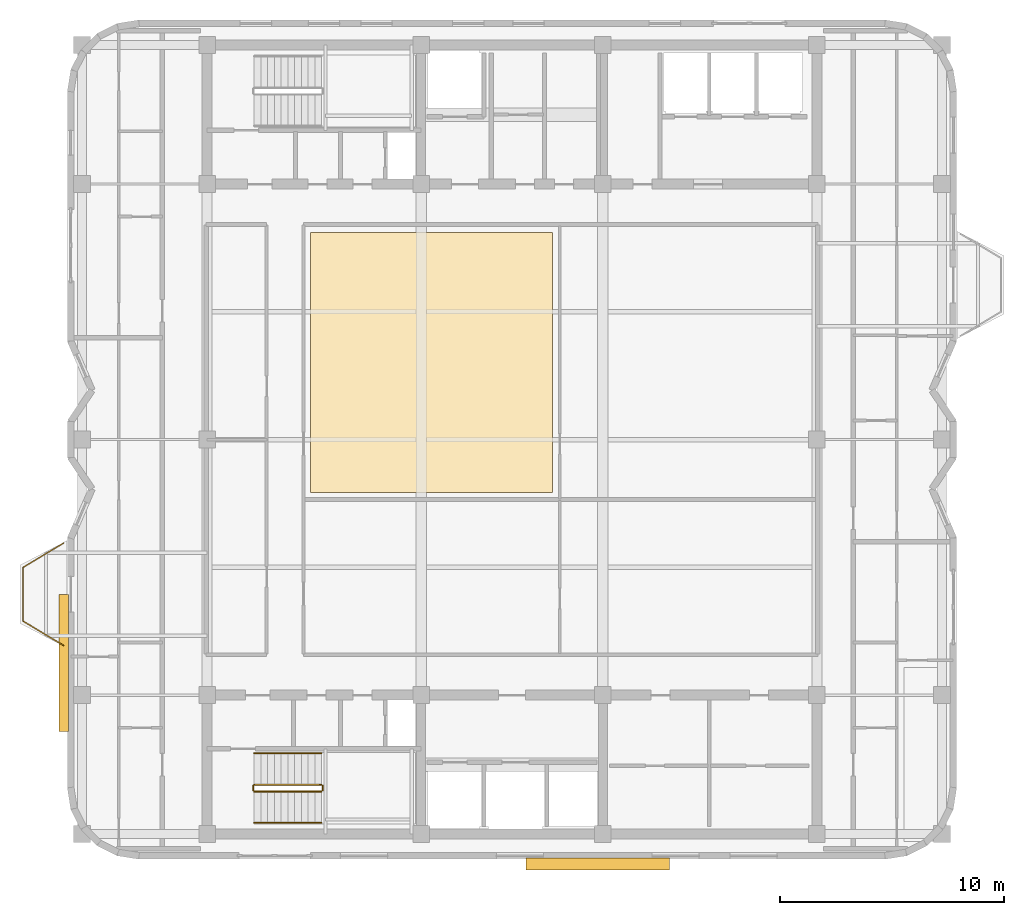
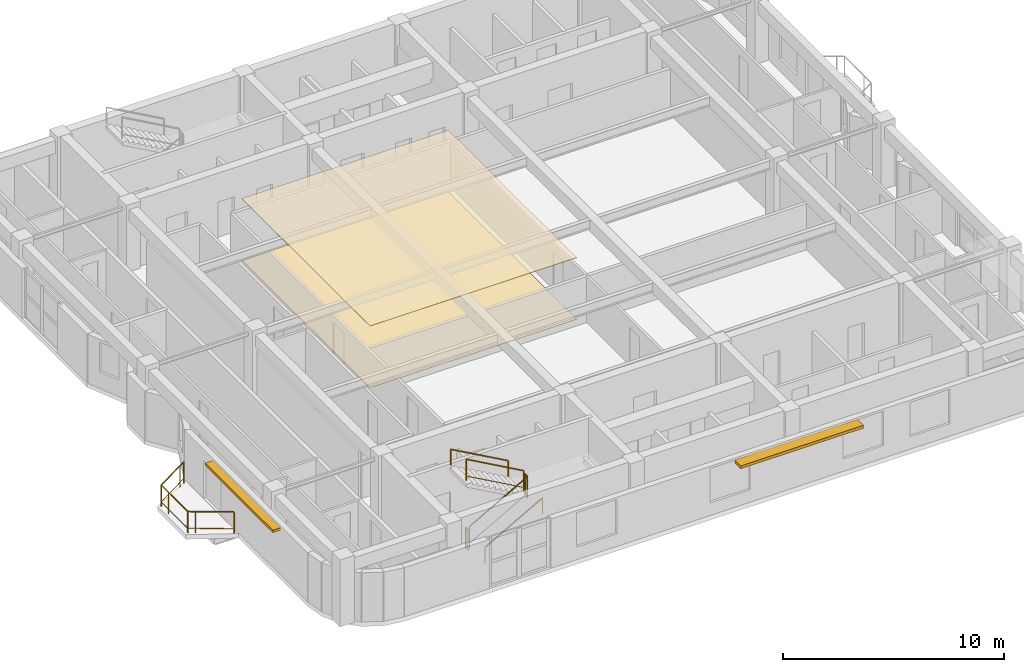
# One storey, part 10 of 11: 7 railings, 2 coverings, 2 shading devices.
"""IFC4 building model written with IfcOpenShell, lengths in metres."""

from ifc_helpers import new_model, si_unit, direction, frame, origin, origin_2d, place, context, subcontext, project, spatial, polyline, rectangle, outline, extrude, material, layer, layer_set, type_object, element, save


model = new_model("IFC4")

# Units and contexts
model_context = context("Model", 3, precision=1e-05, world=origin(), true_north=direction((0.0, 1.0)))
body_context = subcontext(model_context, "Body", "Model", "MODEL_VIEW")
ifc_project = project(units=[si_unit("LENGTHUNIT", "METRE"), si_unit("AREAUNIT", "SQUARE_METRE"), si_unit("VOLUMEUNIT", "CUBIC_METRE"), si_unit("PLANEANGLEUNIT", "RADIAN"), si_unit("MASSUNIT", "GRAM", prefix="KILO")], contexts=[model_context])

# Site, building, storey
site_placement = place(None, origin())
site = spatial("IfcSite", under=ifc_project, at=site_placement, CompositionType="ELEMENT")
building_placement = place(site_placement, origin())
building = spatial("IfcBuilding", under=site, at=building_placement, Name="Svetorya Sky Lyceum", CompositionType="ELEMENT")
storey_placement = place(building_placement, frame((0.0, 0.0, 293.5)))
storey = spatial("IfcBuildingStorey", under=building, at=storey_placement, Name="L74", CompositionType="ELEMENT", Elevation=293.5)

# Coverings
ifc_material_1 = material(Name="Fire-retardant birch acoustic slat ceiling")
ifc_layer_1 = layer(ifc_material_1, 0.031982421875)
ifc_layer_set_1 = layer_set([ifc_layer_1], Name="Fire-retardant birch acoustic slat ceiling")
covering_type_1 = type_object("IfcCoveringType", Name="COV-CLG-WD32", PredefinedType="CEILING", material=ifc_layer_set_1)
covering_1_placement = place(storey_placement, frame((0.0, 0.0, 3.39794921875)))
element("IfcCovering", 1, at=covering_1_placement, inside=storey, type_object=covering_type_1, Name="Wellness Hall L74 North Acoustic Ceiling", PredefinedType="CEILING", context=body_context, shape_type="SweptSolid", body=[
    extrude(outline(polyline([(30.219970703125, 25.850341796875), (41.0048828125, 25.850341796875), (41.0048828125, 37.449951171875), (30.219970703125, 37.449951171875), (30.219970703125, 25.850341796875)])), origin(), (0.0, 0.0, 1.0), 0.031982421875),
])
ifc_material_2 = material(Name="Vitrified porcelain slip-resistant tile flooring")
ifc_layer_2 = layer(ifc_material_2, 0.02587890625)
ifc_layer_set_2 = layer_set([ifc_layer_2], Name="Vitrified porcelain slip-resistant tile flooring")
covering_type_2 = type_object("IfcCoveringType", Name="COV-FLR-POR26", PredefinedType="FLOORING", material=ifc_layer_set_2)
covering_2_placement = place(storey_placement, origin())
element("IfcCovering", 2, at=covering_2_placement, inside=storey, type_object=covering_type_2, Name="Wellness Hall L74 North Architectural Flooring", PredefinedType="FLOORING", context=body_context, shape_type="SweptSolid", body=[
    extrude(outline(polyline([(30.219970703125, 25.850341796875), (41.0048828125, 25.850341796875), (41.0048828125, 37.449951171875), (30.219970703125, 37.449951171875), (30.219970703125, 25.850341796875)])), origin(), (0.0, 0.0, 1.0), 0.02587890625),
])

# Railings
ifc_material_3 = material(Name="Laminated safety glass and stainless AISI 316", Category="glass")
railing_type_1 = type_object("IfcRailingType", Name="RL-BAL-1200", PredefinedType="BALUSTRADE", material=ifc_material_3)
railing_1_placement = place(storey_placement, frame((19.18994140625, 19.02001953125, 0.0)))
element("IfcRailing", 3, at=railing_1_placement, inside=storey, type_object=railing_type_1, Name="L74 Balcony Balustrade BAL-W1", PredefinedType="BALUSTRADE", context=body_context, shape_type="SweptSolid", body=[
    extrude(rectangle(XDim=0.048095703125, YDim=0.048095703125, at=origin_2d()), frame((0.0, 0.0, 1.17578125), z_axis=(-0.857482663744, 0.514512858321, 0.0), x_axis=(-0.514512858321, -0.857482663744, 0.0)), (0.0, 0.0, 1.0), 2.09912109375),
    extrude(rectangle(XDim=0.02392578125, YDim=0.02392578125, at=origin_2d()), frame((0.0, 0.0, 0.25), z_axis=(-0.857482663744, 0.514512858321, 0.0), x_axis=(-0.514512858321, -0.857482663744, 0.0)), (0.0, 0.0, 1.0), 2.09912109375),
    extrude(rectangle(XDim=0.048095703125, YDim=0.048095703125, at=origin_2d()), frame((-1.800048828125, 1.080078125, 1.17578125), z_axis=(0.0, 1.0, 0.0), x_axis=(-1.0, 0.0, 0.0)), (0.0, 0.0, 1.0), 2.39990234375),
    extrude(rectangle(XDim=0.02392578125, YDim=0.02392578125, at=origin_2d()), frame((-1.800048828125, 1.080078125, 0.25), z_axis=(0.0, 1.0, 0.0), x_axis=(-1.0, 0.0, 0.0)), (0.0, 0.0, 1.0), 2.39990234375),
    extrude(rectangle(XDim=0.048095703125, YDim=0.048095703125, at=origin_2d()), frame((-1.800048828125, 3.47998046875, 1.17578125), z_axis=(0.857482663744, 0.514512858321, 0.0), x_axis=(-0.514512858321, 0.857482663744, 0.0)), (0.0, 0.0, 1.0), 2.09912109375),
    extrude(rectangle(XDim=0.02392578125, YDim=0.02392578125, at=origin_2d()), frame((-1.800048828125, 3.47998046875, 0.25), z_axis=(0.857482663744, 0.514512858321, 0.0), x_axis=(-0.514512858321, 0.857482663744, 0.0)), (0.0, 0.0, 1.0), 2.09912109375),
    extrude(rectangle(XDim=0.0419921875, YDim=0.0419921875, at=origin_2d()), origin(), (0.0, 0.0, 1.0), 1.15185546875),
    extrude(rectangle(XDim=0.0419921875, YDim=0.0419921875, at=origin_2d()), frame((-1.50048828125, 0.900390625, 0.0)), (0.0, 0.0, 1.0), 1.15185546875),
    extrude(rectangle(XDim=0.0419921875, YDim=0.0419921875, at=origin_2d()), frame((-1.800048828125, 1.080078125, 0.0)), (0.0, 0.0, 1.0), 1.15185546875),
    extrude(rectangle(XDim=0.0419921875, YDim=0.0419921875, at=origin_2d()), frame((-1.800048828125, 2.830078125, 0.0)), (0.0, 0.0, 1.0), 1.15185546875),
    extrude(rectangle(XDim=0.0419921875, YDim=0.0419921875, at=origin_2d()), frame((-1.800048828125, 3.47998046875, 0.0)), (0.0, 0.0, 1.0), 1.15185546875),
    extrude(rectangle(XDim=0.0419921875, YDim=0.0419921875, at=origin_2d()), frame((-0.299560546875, 4.38037109375, 0.0)), (0.0, 0.0, 1.0), 1.15185546875),
    extrude(rectangle(XDim=0.0419921875, YDim=0.0419921875, at=origin_2d()), frame((0.0, 4.56005859375, 0.0)), (0.0, 0.0, 1.0), 1.15185546875),
])
ifc_material_4 = material(Name="Painted galvanized stair well guard")
railing_type_2 = type_object("IfcRailingType", Name="RL-STR-GUARD-1200", PredefinedType="GUARDRAIL", material=ifc_material_4)
railing_2_placement = place(storey_placement, frame((27.699951171875, 12.5, 0.168212890625)))
element("IfcRailing", 4, at=railing_2_placement, inside=storey, type_object=railing_type_2, Name="L74 ST-S stair guard 1", PredefinedType="GUARDRAIL", context=body_context, shape_type="SweptSolid", body=[
    extrude(rectangle(XDim=0.048095703125, YDim=0.048095703125, at=origin_2d()), frame((0.0, 0.0, 1.17578125), z_axis=(0.872272294576, 0.0, 0.489020494575), x_axis=(0.0, 1.0, 0.0)), (0.0, 0.0, 1.0), 3.439208984375),
    extrude(rectangle(XDim=0.02392578125, YDim=0.02392578125, at=origin_2d()), frame((0.0, 0.0, 0.25), z_axis=(0.872272294576, 0.0, 0.489020494575), x_axis=(0.0, 1.0, 0.0)), (0.0, 0.0, 1.0), 3.439208984375),
    extrude(rectangle(XDim=0.0419921875, YDim=0.0419921875, at=origin_2d()), origin(), (0.0, 0.0, 1.0), 1.15185546875),
    extrude(rectangle(XDim=0.0419921875, YDim=0.0419921875, at=origin_2d()), frame((3.0, 0.0, 1.681884765625)), (0.0, 0.0, 1.0), 1.15185546875),
])
railing_3_placement = place(storey_placement, frame((30.75, 12.550048828125, 1.85009765625)))
element("IfcRailing", 5, at=railing_3_placement, inside=storey, type_object=railing_type_2, Name="L74 ST-S stair guard 2", PredefinedType="GUARDRAIL", context=body_context, shape_type="SweptSolid", body=[
    extrude(rectangle(XDim=0.048095703125, YDim=0.048095703125, at=origin_2d()), frame((0.0, 0.0, 1.17578125), z_axis=(0.0, 1.0, 0.0), x_axis=(-1.0, 0.0, 0.0)), (0.0, 0.0, 1.0), 0.199951171875),
    extrude(rectangle(XDim=0.02392578125, YDim=0.02392578125, at=origin_2d()), frame((0.0, 0.0, 0.25), z_axis=(0.0, 1.0, 0.0), x_axis=(-1.0, 0.0, 0.0)), (0.0, 0.0, 1.0), 0.199951171875),
    extrude(rectangle(XDim=0.0419921875, YDim=0.0419921875, at=origin_2d()), origin(), (0.0, 0.0, 1.0), 1.15185546875),
    extrude(rectangle(XDim=0.0419921875, YDim=0.0419921875, at=origin_2d()), frame((0.0, 0.199951171875, 0.0)), (0.0, 0.0, 1.0), 1.15185546875),
])
railing_4_placement = place(storey_placement, frame((30.699951171875, 12.800048828125, 2.01806640625)))
element("IfcRailing", 6, at=railing_4_placement, inside=storey, type_object=railing_type_2, Name="L74 ST-S stair guard 3", PredefinedType="GUARDRAIL", context=body_context, shape_type="SweptSolid", body=[
    extrude(rectangle(XDim=0.048095703125, YDim=0.048095703125, at=origin_2d()), frame((0.0, 0.0, 1.17578125), z_axis=(-0.872272294576, 0.0, 0.489020494575), x_axis=(0.0, -1.0, 0.0)), (0.0, 0.0, 1.0), 3.439208984375),
    extrude(rectangle(XDim=0.02392578125, YDim=0.02392578125, at=origin_2d()), frame((0.0, 0.0, 0.25), z_axis=(-0.872272294576, 0.0, 0.489020494575), x_axis=(0.0, -1.0, 0.0)), (0.0, 0.0, 1.0), 3.439208984375),
    extrude(rectangle(XDim=0.0419921875, YDim=0.0419921875, at=origin_2d()), origin(), (0.0, 0.0, 1.0), 1.15185546875),
    extrude(rectangle(XDim=0.0419921875, YDim=0.0419921875, at=origin_2d()), frame((-3.0, 0.0, 1.681884765625)), (0.0, 0.0, 1.0), 1.15185546875),
])
railing_5_placement = place(storey_placement, frame((27.64990234375, 12.550048828125, 0.0)))
element("IfcRailing", 7, at=railing_5_placement, inside=storey, type_object=railing_type_2, Name="L74 ST-S stair guard 4", PredefinedType="GUARDRAIL", context=body_context, shape_type="SweptSolid", body=[
    extrude(rectangle(XDim=0.048095703125, YDim=0.048095703125, at=origin_2d()), frame((0.0, 0.0, 1.17578125), z_axis=(0.0, 1.0, 0.0), x_axis=(-1.0, 0.0, 0.0)), (0.0, 0.0, 1.0), 0.199951171875),
    extrude(rectangle(XDim=0.02392578125, YDim=0.02392578125, at=origin_2d()), frame((0.0, 0.0, 0.25), z_axis=(0.0, 1.0, 0.0), x_axis=(-1.0, 0.0, 0.0)), (0.0, 0.0, 1.0), 0.199951171875),
    extrude(rectangle(XDim=0.0419921875, YDim=0.0419921875, at=origin_2d()), origin(), (0.0, 0.0, 1.0), 1.15185546875),
    extrude(rectangle(XDim=0.0419921875, YDim=0.0419921875, at=origin_2d()), frame((0.0, 0.199951171875, 0.0)), (0.0, 0.0, 1.0), 1.15185546875),
])
ifc_material_5 = material(Name="Brushed stainless AISI 304 stair handrail")
railing_type_3 = type_object("IfcRailingType", Name="RL-STR-HAND-920", PredefinedType="HANDRAIL", material=ifc_material_5)
railing_6_placement = place(storey_placement, frame((27.699951171875, 11.10009765625, 0.168212890625)))
element("IfcRailing", 8, at=railing_6_placement, inside=storey, type_object=railing_type_3, Name="L74 ST-S stair handrail 1", PredefinedType="HANDRAIL", context=body_context, shape_type="SweptSolid", body=[
    extrude(rectangle(XDim=0.048095703125, YDim=0.048095703125, at=origin_2d()), frame((0.0, 0.0, 0.8759765625), z_axis=(0.872272294576, 0.0, 0.489020494575), x_axis=(0.0, 1.0, 0.0)), (0.0, 0.0, 1.0), 3.439208984375),
    extrude(rectangle(XDim=0.0419921875, YDim=0.0419921875, at=origin_2d()), origin(), (0.0, 0.0, 1.0), 0.851806640625),
    extrude(rectangle(XDim=0.0419921875, YDim=0.0419921875, at=origin_2d()), frame((3.0, 0.0, 1.681884765625)), (0.0, 0.0, 1.0), 0.851806640625),
])
railing_7_placement = place(storey_placement, frame((30.699951171875, 14.199951171875, 2.01806640625)))
element("IfcRailing", 9, at=railing_7_placement, inside=storey, type_object=railing_type_3, Name="L74 ST-S stair handrail 2", PredefinedType="HANDRAIL", context=body_context, shape_type="SweptSolid", body=[
    extrude(rectangle(XDim=0.048095703125, YDim=0.048095703125, at=origin_2d()), frame((0.0, 0.0, 0.8759765625), z_axis=(-0.872272294576, 0.0, 0.489020494575), x_axis=(0.0, -1.0, 0.0)), (0.0, 0.0, 1.0), 3.439208984375),
    extrude(rectangle(XDim=0.0419921875, YDim=0.0419921875, at=origin_2d()), origin(), (0.0, 0.0, 1.0), 0.851806640625),
    extrude(rectangle(XDim=0.0419921875, YDim=0.0419921875, at=origin_2d()), frame((-3.0, 0.0, 1.681884765625)), (0.0, 0.0, 1.0), 0.851806640625),
])

# Shading devices
ifc_material_6 = material(Name="Champagne-anodized extruded aluminium solar fin", Category="aluminium")
ifc_layer_3 = layer(ifc_material_6, 0.139892578125)
ifc_layer_set_3 = layer_set([ifc_layer_3], Name="Champagne-anodized extruded aluminium solar fin")
shading_device_type_1 = type_object("IfcShadingDeviceType", Name="SHD-FIN-420", PredefinedType="JALOUSIE", material=ifc_layer_set_3)
shading_device_1_placement = place(storey_placement, frame((19.199951171875, 18.239990234375, 2.419921875), z_axis=(0.0, 0.0, 1.0), x_axis=(1.0, 0.0, 0.0)))
element("IfcShadingDevice", 10, at=shading_device_1_placement, inside=storey, type_object=shading_device_type_1, Name="L74 Solar Brise-Soleil SHD-2.36M", PredefinedType="JALOUSIE", context=body_context, shape_type="SweptSolid", body=[
    extrude(rectangle(XDim=0.419921875, YDim=6.115966796875, at=origin_2d()), origin(), (0.0, 0.0, 1.0), 0.139892578125),
])
ifc_material_7 = material(Name="Champagne-anodized extruded aluminium sunshade", Category="aluminium")
ifc_layer_4 = layer(ifc_material_7, 0.159912109375)
ifc_layer_set_4 = layer_set([ifc_layer_4], Name="Champagne-anodized extruded aluminium sunshade")
shading_device_type_2 = type_object("IfcShadingDeviceType", Name="SHD-LVR-540", PredefinedType="AWNING", material=ifc_layer_set_4)
shading_device_2_placement = place(storey_placement, frame((43.02490234375, 9.260009765625, 2.41015625), z_axis=(0.0, 0.0, 1.0), x_axis=(1.0, 0.0, 0.0)))
element("IfcShadingDevice", 11, at=shading_device_2_placement, inside=storey, type_object=shading_device_type_2, Name="L74 Solar Brise-Soleil SHD-1.6B", PredefinedType="AWNING", context=body_context, shape_type="SweptSolid", body=[
    extrude(rectangle(XDim=6.39990234375, YDim=0.5400390625, at=origin_2d()), origin(), (0.0, 0.0, 1.0), 0.159912109375),
])

save(model, "model.ifc")
